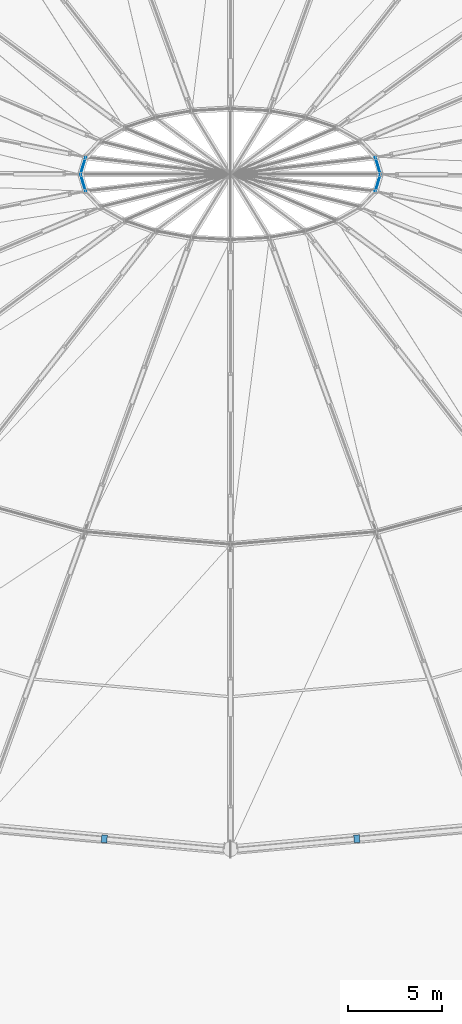
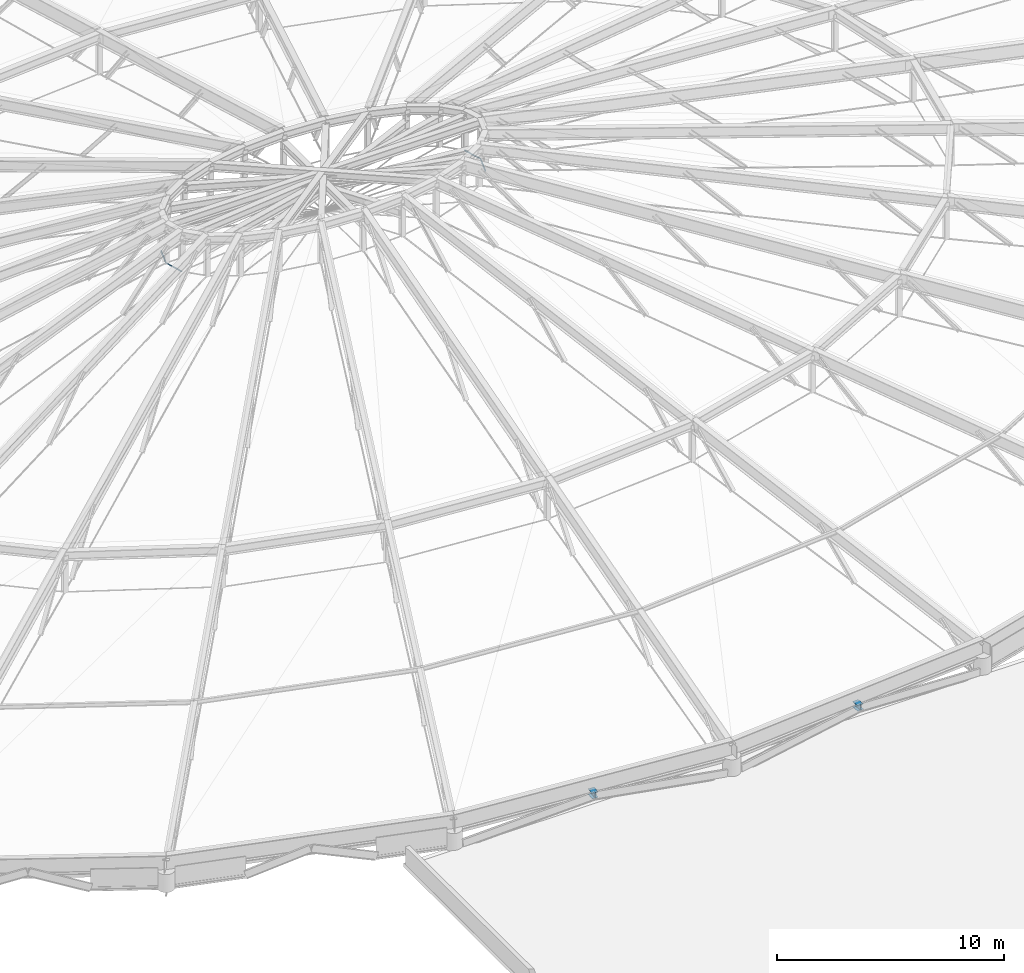
# One storey, part 43 of 83: 4 members, 2 beams.
"""IFC4 building model written with IfcOpenShell, lengths in metres."""

import ifcopenshell
import ifcopenshell.guid

model = None  # the IFC model being written
_history = None  # IfcOwnerHistory: only IFC2X3 demands one
_inside = {}  # id of a spatial element -> (the spatial element, [elements in it])
_under = {}  # id of a project, library or spatial element -> (it, [spatial elements below it])
_declared = {}  # id of a project -> (the project, [libraries it declares])
_typed = {}  # id of a type object -> (the type object, [elements of that type])
_made_of = {}  # id of a material, layer set ... -> (it, [elements and type objects made of it])


def new_model(schema):
    """Start an empty IFC model of exactly this schema.

    Asked for "IFC4X3", IfcOpenShell would pick the latest addendum, in which some entities
    have other attributes; the version numbers below select the first issue.
    IFC2X3 requires an IfcOwnerHistory on every rooted entity: one is made here for all.
    """
    global model, _history
    if schema == "IFC4X3":
        model = ifcopenshell.file(schema_version=(4, 3, 0, 0))
    else:
        model = ifcopenshell.file(schema=schema)
    _inside.clear()
    _under.clear()
    _declared.clear()
    _typed.clear()
    _made_of.clear()
    _history = None
    if model.schema == "IFC2X3":
        org = make("IfcOrganization", Name="unknown")
        user = make(
            "IfcPersonAndOrganization",
            ThePerson=make("IfcPerson", FamilyName="unknown"),
            TheOrganization=org,
        )
        app = make(
            "IfcApplication",
            ApplicationDeveloper=org,
            Version="unknown",
            ApplicationFullName="unknown",
            ApplicationIdentifier="unknown",
        )
        _history = make(
            "IfcOwnerHistory",
            OwningUser=user,
            OwningApplication=app,
            ChangeAction="ADDED",
            CreationDate=0,
        )
    return model


def make(cls, **values):
    """One entity of the class cls with the attributes given. An attribute that is None is left unset."""
    return model.create_entity(
        cls, **{name: value for name, value in values.items() if value is not None}
    )


def rooted(cls, **values):
    """An entity with a GlobalId (a new one), such as an element, a storey or a relation."""
    return make(cls, GlobalId=ifcopenshell.guid.new(), OwnerHistory=_history, **values)


def si_unit(unit_type, name, prefix=None):
    """IfcSIUnit, for example si_unit("LENGTHUNIT", "METRE", prefix="MILLI")."""
    return make("IfcSIUnit", UnitType=unit_type, Prefix=prefix, Name=name)


def assignment(units):
    """IfcUnitAssignment: the units of a project."""
    return None if units is None else make("IfcUnitAssignment", Units=units)


def point(xyz):
    """IfcCartesianPoint."""
    return None if xyz is None else make("IfcCartesianPoint", Coordinates=xyz)


def direction(xyz):
    """IfcDirection."""
    return None if xyz is None else make("IfcDirection", DirectionRatios=xyz)


def frame(location, z_axis=None, x_axis=None):
    """IfcAxis2Placement3D, a coordinate frame: its origin and axes. An axis left out is left unset."""
    return make(
        "IfcAxis2Placement3D",
        Location=point(location),
        Axis=direction(z_axis),
        RefDirection=direction(x_axis),
    )


def frame_2d(location, x_axis=None):
    """IfcAxis2Placement2D, a coordinate frame in the plane: its origin and x axis."""
    return make(
        "IfcAxis2Placement2D", Location=point(location), RefDirection=direction(x_axis)
    )


def origin():
    """The frame at (0, 0, 0) with its axes left unset."""
    return frame((0.0, 0.0, 0.0))


def origin_2d():
    """The frame at (0, 0) in the plane with its x axis left unset."""
    return frame_2d((0.0, 0.0))


def place(relative_to, where):
    """IfcLocalPlacement: puts the frame where relative to a parent placement (None: the world)."""
    return make(
        "IfcLocalPlacement", PlacementRelTo=relative_to, RelativePlacement=where
    )


def context(
    kind, dimensions, precision=None, world=None, true_north=None, identifier=None
):
    """IfcGeometricRepresentationContext, for example the 3D "Model" context."""
    return make(
        "IfcGeometricRepresentationContext",
        ContextIdentifier=identifier,
        ContextType=kind,
        CoordinateSpaceDimension=dimensions,
        Precision=precision,
        WorldCoordinateSystem=world,
        TrueNorth=true_north,
    )


def subcontext(parent, identifier, kind, view, scale=None):
    """IfcGeometricRepresentationSubContext, for example "Body" below "Model"."""
    return make(
        "IfcGeometricRepresentationSubContext",
        ContextIdentifier=identifier,
        ContextType=kind,
        ParentContext=parent,
        TargetScale=scale,
        TargetView=view,
    )


def project(units=None, contexts=None):
    """IfcProject with its units and contexts."""
    return rooted(
        "IfcProject",
        Name="project",
        RepresentationContexts=contexts,
        UnitsInContext=assignment(units),
    )


def spatial(cls, under=None, at=None, **own):
    """A site, building, storey or space (cls), placed at a placement, below another one or the project."""
    s = rooted(cls, ObjectPlacement=at, **own)
    if under is not None:
        _under.setdefault(under.id(), (under, []))[1].append(s)
    return s


def profile(cls, at=None, kind="AREA", **sizes):
    """A parametric profile (cls). Its sizes go by their IFC names, for example OverallWidth=200.0."""
    return make(cls, ProfileType=kind, Position=at, **sizes)


def circle(**sizes):
    """IfcCircleProfileDef."""
    return profile("IfcCircleProfileDef", **sizes)


def i_section(**sizes):
    """IfcIShapeProfileDef."""
    return profile("IfcIShapeProfileDef", **sizes)


def extrude(swept, where, along, depth):
    """IfcExtrudedAreaSolid: the profile swept, set in the frame where, extruded along a direction by depth."""
    return make(
        "IfcExtrudedAreaSolid",
        SweptArea=swept,
        Position=where,
        ExtrudedDirection=direction(along),
        Depth=depth,
    )


def shape(context_of_items, identifier, shape_type, items):
    """IfcShapeRepresentation: the items that make up one representation, for example the "Body"."""
    return make(
        "IfcShapeRepresentation",
        ContextOfItems=context_of_items,
        RepresentationIdentifier=identifier,
        RepresentationType=shape_type,
        Items=items,
    )


def material(Name=None, Category=None):
    """IfcMaterial."""
    return make("IfcMaterial", Name=Name, Category=Category)


def material_profile(
    of_material, cross_section, Name=None, Category=None, Priority=None
):
    """IfcMaterialProfile: a cross section and its material."""
    return make(
        "IfcMaterialProfile",
        Name=Name,
        Material=of_material,
        Profile=cross_section,
        Priority=Priority,
        Category=Category,
    )


def profile_set(profiles, Name=None, composite=None):
    """IfcMaterialProfileSet."""
    return make(
        "IfcMaterialProfileSet",
        Name=Name,
        MaterialProfiles=profiles,
        CompositeProfile=composite,
    )


def made_of(thing, what):
    """Note that an element or type object is made of a material, layer set ...; save() writes the relation."""
    if what is not None:
        _made_of.setdefault(what.id(), (what, []))[1].append(thing)
    return thing


def type_object(cls, material=None, **own):
    """A type object (cls), such as IfcWallType, which elements share."""
    return made_of(rooted(cls, **own), material)


def element(
    cls,
    number,
    at=None,
    inside=None,
    cuts=None,
    type_object=None,
    material=None,
    context=None,
    identifier="Body",
    shape_type=None,
    held_by="IfcProductDefinitionShape",
    body=None,
    shapes=None,
    **own,
):
    """One element of the class cls, such as IfcWall. Its Tag is "e" and its number.

    at: its placement. inside: the storey or other place that contains it. cuts: it is an
    opening in that element (IfcRelVoidsElement). A single representation is given by context,
    identifier, shape_type and body (its items); several are given by shapes. held_by: the class
    of the entity that holds the representations. save() writes the other relations.
    """
    e = rooted(cls, Tag="e%d" % number, ObjectPlacement=at, **own)
    if body is not None:
        shapes = [shape(context, identifier, shape_type, body)]
    if shapes is not None:
        e.Representation = make(held_by, Representations=shapes)
    if inside is not None:
        _inside.setdefault(inside.id(), (inside, []))[1].append(e)
    if cuts is not None:
        rooted(
            "IfcRelVoidsElement", RelatingBuildingElement=cuts, RelatedOpeningElement=e
        )
    if type_object is not None:
        _typed.setdefault(type_object.id(), (type_object, []))[1].append(e)
    return made_of(e, material)


def aggregate(whole, parts):
    """IfcRelAggregates: a whole, such as a stair, and the parts it consists of."""
    return rooted("IfcRelAggregates", RelatingObject=whole, RelatedObjects=parts)


def save(model, path):
    """Write the relations noted so far, then the file.

    IfcRelAggregates (storeys below a building ...), IfcRelContainedInSpatialStructure (elements
    in a storey), IfcRelDefinesByType, IfcRelAssociatesMaterial and IfcRelDeclares: one each for
    every whole, place, type object, material and project.
    """
    for whole, parts in _under.values():
        aggregate(whole, parts)
    for where, things in _inside.values():
        rooted(
            "IfcRelContainedInSpatialStructure",
            RelatedElements=things,
            RelatingStructure=where,
        )
    for kind, things in _typed.values():
        rooted("IfcRelDefinesByType", RelatedObjects=things, RelatingType=kind)
    for what, things in _made_of.values():
        rooted("IfcRelAssociatesMaterial", RelatedObjects=things, RelatingMaterial=what)
    for by, libraries in _declared.values():
        rooted("IfcRelDeclares", RelatingContext=by, RelatedDefinitions=libraries)
    model.write(path)


model = new_model("IFC4")

# Units and contexts
model_context = context("Model", 3, precision=1e-05, world=origin(), true_north=direction((0.0, 1.0)))
body_context = subcontext(model_context, "Body", "Model", "MODEL_VIEW")
ifc_project = project(units=[si_unit("LENGTHUNIT", "METRE"), si_unit("AREAUNIT", "SQUARE_METRE"), si_unit("VOLUMEUNIT", "CUBIC_METRE"), si_unit("PLANEANGLEUNIT", "RADIAN"), si_unit("MASSUNIT", "GRAM", prefix="KILO")], contexts=[model_context])

# Site, building, storey
site_placement = place(None, origin())
site = spatial("IfcSite", under=ifc_project, at=site_placement, CompositionType="ELEMENT")
building_placement = place(site_placement, origin())
building = spatial("IfcBuilding", under=site, at=building_placement, Name="Kivolera Central Railway Station", CompositionType="ELEMENT")
storey_placement = place(building_placement, frame((0.0, 0.0, 14.39990234375)))
storey = spatial("IfcBuildingStorey", under=building, at=storey_placement, Name="L03", CompositionType="ELEMENT", Elevation=14.39990234375)

# Beams
ifc_material_1 = material(Name="Steel S355", Category="steel")
ifc_material_profile_1 = material_profile(ifc_material_1, i_section(OverallWidth=0.300048828125, OverallDepth=0.300048828125, WebThickness=0.010986328125, FlangeThickness=0.01904296875, FilletRadius=0.027099609375, at=origin_2d()), Name="HEB 300")
ifc_profile_set_1 = profile_set([ifc_material_profile_1], Name="Steel S355")
beam_type = type_object("IfcBeamType", Name="BM-LANT-ARCH", PredefinedType="SPANDREL", material=ifc_profile_set_1)
for number, where, z_axis, x_axis, name in (
    (1, (57.282958984375, 54.7529296875, 0.920166015625), (-0.089998341829, -0.995941915208, 0.0), (0.995941915208, -0.089998341829, 0.0), "Lantern Clerestory Arch Keystone Bracket 18"),
    (2, (70.717041015625, 54.7529296875, 0.920166015625), (0.089998341829, -0.995941915208, 0.0), (0.995941915208, 0.089998341829, 0.0), "Lantern Clerestory Arch Keystone Bracket 19"),
):
    element("IfcBeam", number, at=place(storey_placement, frame(where, z_axis=z_axis, x_axis=x_axis)), inside=storey, type_object=beam_type, Name=name, PredefinedType="SPANDREL", context=body_context, shape_type="SweptSolid", body=[
        extrude(i_section(OverallWidth=0.300048828125, OverallDepth=0.300048828125, WebThickness=0.010986328125, FlangeThickness=0.01904296875, FilletRadius=0.027099609375, at=origin_2d()), origin(), (0.0, 0.0, 1.0), 0.40966796875),
    ])

# Members
ifc_material_2 = material(Name="Spiral strand steel S460", Category="steel")
ifc_material_profile_2 = material_profile(ifc_material_2, circle(Radius=0.02392578125, at=origin_2d()), Name="CABLE D48")
ifc_profile_set_2 = profile_set([ifc_material_profile_2], Name="Spiral strand steel S460")
member_type = type_object("IfcMemberType", Name="MEM-CABLE-D48", PredefinedType="USERDEFINED", material=ifc_profile_set_2)
for number, where, z_axis, x_axis, name in (
    (3, (72.0, 90.0, 8.380126953125), (-0.288460231396, 0.9574918772, 0.0), (-0.9574918772, -0.288460231396, 0.0), "Dome Crown Hoop Tension Cable HC2-01"),
    (4, (56.27294921875, 90.906005859375, 8.380126953125), (-0.288460231396, -0.9574918772, 0.0), (0.9574918772, -0.288460231396, 0.0), "Dome Crown Hoop Tension Cable HC2-12"),
    (5, (56.0, 90.0, 8.380126953125), (0.288460231396, -0.9574918772, 0.0), (0.9574918772, 0.288460231396, 0.0), "Dome Crown Hoop Tension Cable HC2-13"),
    (6, (71.72705078125, 89.093994140625, 8.380126953125), (0.288460231396, 0.9574918772, 0.0), (-0.9574918772, 0.288460231396, 0.0), "Dome Crown Hoop Tension Cable HC2-24"),
):
    element("IfcMember", number, at=place(storey_placement, frame(where, z_axis=z_axis, x_axis=x_axis)), inside=storey, type_object=member_type, Name=name, ObjectType="TENSION_CABLE", PredefinedType="USERDEFINED", context=body_context, shape_type="SweptSolid", body=[
        extrude(circle(Radius=0.02392578125, at=origin_2d()), origin(), (0.0, 0.0, 1.0), 0.9462890625),
    ])

save(model, "model.ifc")
